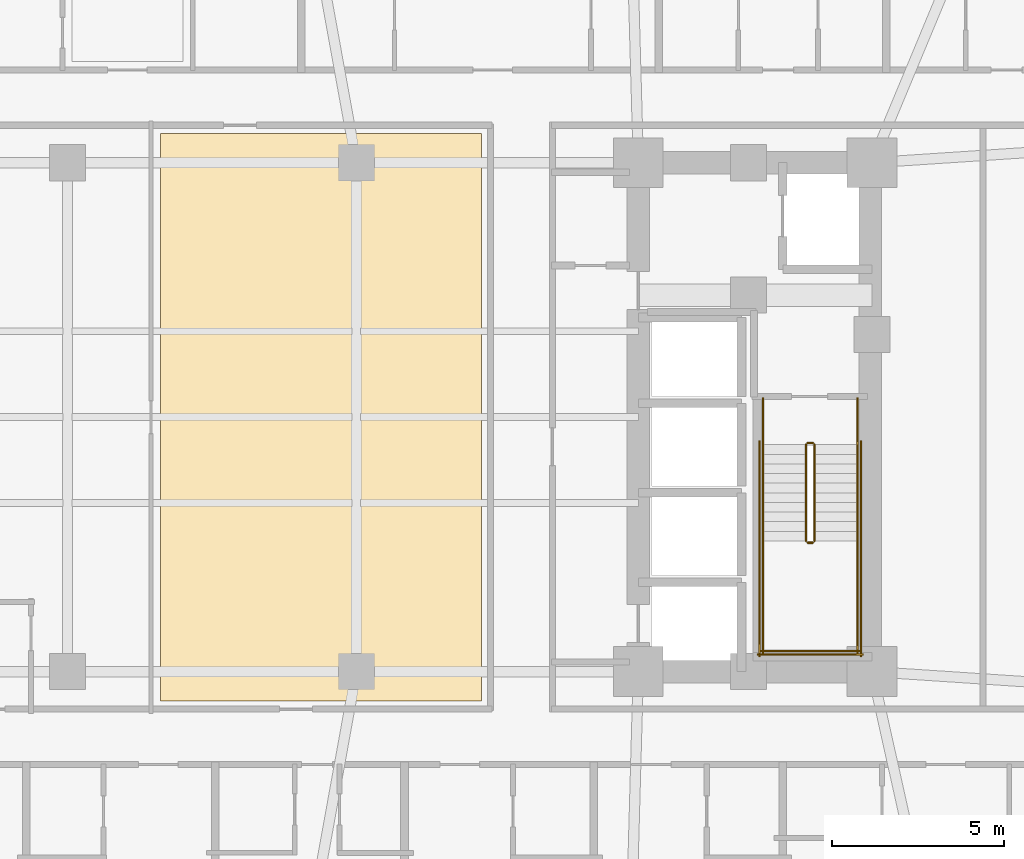
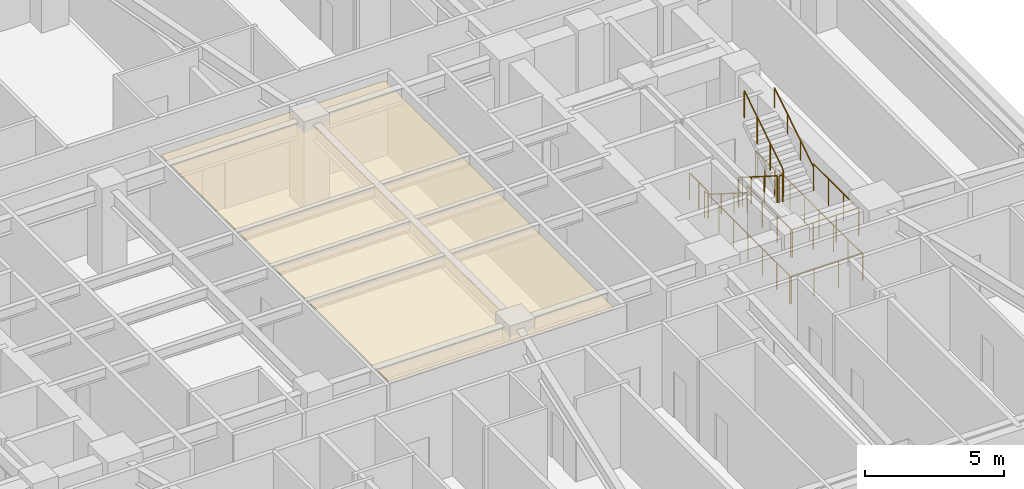
# One storey, part 11 of 12: 14 railings, 1 covering.
"""IFC4 building model written with IfcOpenShell, lengths in metres."""

from ifc_helpers import new_model, si_unit, direction, frame, origin, origin_2d, place, context, subcontext, project, spatial, polyline, circle, outline, extrude, material, layer, layer_set, type_object, element, save


model = new_model("IFC4")

# Units and contexts
model_context = context("Model", 3, precision=1e-05, world=origin(), true_north=direction((0.0, 1.0)))
body_context = subcontext(model_context, "Body", "Model", "MODEL_VIEW")
ifc_project = project(units=[si_unit("LENGTHUNIT", "METRE"), si_unit("AREAUNIT", "SQUARE_METRE"), si_unit("VOLUMEUNIT", "CUBIC_METRE"), si_unit("PLANEANGLEUNIT", "RADIAN"), si_unit("MASSUNIT", "GRAM", prefix="KILO")], contexts=[model_context])

# Site, building, storey
site_placement = place(None, origin())
site = spatial("IfcSite", under=ifc_project, at=site_placement, CompositionType="ELEMENT")
building_placement = place(site_placement, origin())
building = spatial("IfcBuilding", under=site, at=building_placement, Name="Voryun Gate Residences", CompositionType="ELEMENT")
storey_placement = place(building_placement, frame((0.0, 0.0, 41.60009765625)))
storey = spatial("IfcBuildingStorey", under=building, at=storey_placement, Name="L09", CompositionType="ELEMENT", Elevation=41.60009765625)

# Covering
ifc_material_1 = material(Name="Gypsum acoustic ceiling")
ifc_layer = layer(ifc_material_1, 0.02490234375, Name="COV_CEILING_ACOUSTIC")
ifc_layer_set = layer_set([ifc_layer], Name="Gypsum acoustic ceiling")
covering_type = type_object("IfcCoveringType", Name="COV_CEILING_ACOUSTIC", PredefinedType="CEILING", material=ifc_layer_set)
covering_placement = place(storey_placement, frame((0.0, 0.0, 3.39990234375)))
element("IfcCovering", 1, at=covering_placement, inside=storey, type_object=covering_type, Name="Acoustic ceiling CLG-L09-01", PredefinedType="CEILING", context=body_context, shape_type="SweptSolid", body=[
    extrude(outline(polyline([(-1.492919921875, 8.25), (7.840087890625, 8.25), (7.840087890625, -8.25), (-1.492919921875, -8.25), (-1.492919921875, 8.25)])), origin(), (0.0, 0.0, 1.0), 0.02490234375),
])

# Railings
ifc_material_2 = material(Name="Painted steel", Category="steel")
railing_type_1 = type_object("IfcRailingType", Name="RAIL_STAIR_GUARD_1200", PredefinedType="GUARDRAIL", material=ifc_material_2)
railing_1_placement = place(storey_placement, frame((17.27490234375, -0.800048828125, 0.17724609375)))
element("IfcRailing", 2, at=railing_1_placement, inside=storey, type_object=railing_type_1, Name="L09 ST-E1 stair guard 1", PredefinedType="GUARDRAIL", context=body_context, shape_type="SweptSolid", body=[
    extrude(circle(Radius=0.02392578125, at=origin_2d()), frame((0.0, 0.0, 1.17578125), z_axis=(0.0, -0.844908973607, 0.534910110503), x_axis=(1.0, 0.0, 0.0)), (0.0, 0.0, 1.0), 3.31396484375),
    extrude(circle(Radius=0.02099609375, at=origin_2d()), origin(), (0.0, 0.0, 1.0), 1.15185546875),
    extrude(circle(Radius=0.02099609375, at=origin_2d()), frame((0.0, -0.933349609375, 0.5908203125)), (0.0, 0.0, 1.0), 1.15185546875),
    extrude(circle(Radius=0.02099609375, at=origin_2d()), frame((0.0, -1.86669921875, 1.181884765625)), (0.0, 0.0, 1.0), 1.15185546875),
    extrude(circle(Radius=0.02099609375, at=origin_2d()), frame((0.0, -2.800048828125, 1.772705078125)), (0.0, 0.0, 1.0), 1.15185546875),
])
railing_2_placement = place(storey_placement, frame((17.324951171875, -3.64990234375, 1.949951171875)))
element("IfcRailing", 3, at=railing_2_placement, inside=storey, type_object=railing_type_1, Name="L09 ST-E1 stair guard 2", PredefinedType="GUARDRAIL", context=body_context, shape_type="SweptSolid", body=[
    extrude(circle(Radius=0.02392578125, at=origin_2d()), frame((0.0, 0.0, 1.17578125), z_axis=(1.0, 0.0, 0.0), x_axis=(0.0, 1.0, 0.0)), (0.0, 0.0, 1.0), 0.150146484375),
    extrude(circle(Radius=0.02099609375, at=origin_2d()), origin(), (0.0, 0.0, 1.0), 1.15185546875),
    extrude(circle(Radius=0.02099609375, at=origin_2d()), frame((0.150146484375, 0.0, 0.0)), (0.0, 0.0, 1.0), 1.15185546875),
])
for number, where, name in (
    (4, (16.02490234375, -3.60009765625, 1.949951171875), "L09 ST-E1 stair guard 3"),
    (5, (18.77490234375, -3.60009765625, 1.949951171875), "L09 ST-E1 stair guard 4"),
):
    element("IfcRailing", number, at=place(storey_placement, frame(where)), inside=storey, type_object=railing_type_1, Name=name, PredefinedType="GUARDRAIL", context=body_context, shape_type="SweptSolid", body=[
        extrude(circle(Radius=0.02392578125, at=origin_2d()), frame((0.0, 0.0, 1.17578125), z_axis=(0.0, -1.0, 0.0), x_axis=(1.0, 0.0, 0.0)), (0.0, 0.0, 1.0), 3.25),
        extrude(circle(Radius=0.02099609375, at=origin_2d()), origin(), (0.0, 0.0, 1.0), 1.15185546875),
        extrude(circle(Radius=0.02099609375, at=origin_2d()), frame((0.0, -1.083251953125, 0.0)), (0.0, 0.0, 1.0), 1.15185546875),
        extrude(circle(Radius=0.02099609375, at=origin_2d()), frame((0.0, -2.166748046875, 0.0)), (0.0, 0.0, 1.0), 1.15185546875),
        extrude(circle(Radius=0.02099609375, at=origin_2d()), frame((0.0, -3.25, 0.0)), (0.0, 0.0, 1.0), 1.15185546875),
    ])
railing_3_placement = place(storey_placement, frame((15.97509765625, -6.800048828125, 1.949951171875)))
element("IfcRailing", 6, at=railing_3_placement, inside=storey, type_object=railing_type_1, Name="L09 ST-E1 stair guard 5", PredefinedType="GUARDRAIL", context=body_context, shape_type="SweptSolid", body=[
    extrude(circle(Radius=0.02392578125, at=origin_2d()), frame((0.0, 0.0, 1.17578125), z_axis=(1.0, 0.0, 0.0), x_axis=(0.0, 1.0, 0.0)), (0.0, 0.0, 1.0), 2.849853515625),
    extrude(circle(Radius=0.02099609375, at=origin_2d()), origin(), (0.0, 0.0, 1.0), 1.15185546875),
    extrude(circle(Radius=0.02099609375, at=origin_2d()), frame((0.949951171875, 0.0, 0.0)), (0.0, 0.0, 1.0), 1.15185546875),
    extrude(circle(Radius=0.02099609375, at=origin_2d()), frame((1.89990234375, 0.0, 0.0)), (0.0, 0.0, 1.0), 1.15185546875),
    extrude(circle(Radius=0.02099609375, at=origin_2d()), frame((2.849853515625, 0.0, 0.0)), (0.0, 0.0, 1.0), 1.15185546875),
])
railing_4_placement = place(storey_placement, frame((17.52490234375, -3.60009765625, 2.127197265625)))
element("IfcRailing", 7, at=railing_4_placement, inside=storey, type_object=railing_type_1, Name="L09 ST-E1 stair guard 6", PredefinedType="GUARDRAIL", context=body_context, shape_type="SweptSolid", body=[
    extrude(circle(Radius=0.02392578125, at=origin_2d()), frame((0.0, 0.0, 1.17578125), z_axis=(0.0, 0.844908973607, 0.534910110503), x_axis=(-1.0, 0.0, 0.0)), (0.0, 0.0, 1.0), 3.31396484375),
    extrude(circle(Radius=0.02099609375, at=origin_2d()), origin(), (0.0, 0.0, 1.0), 1.15185546875),
    extrude(circle(Radius=0.02099609375, at=origin_2d()), frame((0.0, 0.933349609375, 0.5908203125)), (0.0, 0.0, 1.0), 1.15185546875),
    extrude(circle(Radius=0.02099609375, at=origin_2d()), frame((0.0, 1.86669921875, 1.181884765625)), (0.0, 0.0, 1.0), 1.15185546875),
    extrude(circle(Radius=0.02099609375, at=origin_2d()), frame((0.0, 2.800048828125, 1.772705078125)), (0.0, 0.0, 1.0), 1.15185546875),
])
railing_5_placement = place(storey_placement, frame((17.324951171875, -0.75, 0.0)))
element("IfcRailing", 8, at=railing_5_placement, inside=storey, type_object=railing_type_1, Name="L09 ST-E1 stair guard 7", PredefinedType="GUARDRAIL", context=body_context, shape_type="SweptSolid", body=[
    extrude(circle(Radius=0.02392578125, at=origin_2d()), frame((0.0, 0.0, 1.17578125), z_axis=(1.0, 0.0, 0.0), x_axis=(0.0, 1.0, 0.0)), (0.0, 0.0, 1.0), 0.150146484375),
    extrude(circle(Radius=0.02099609375, at=origin_2d()), origin(), (0.0, 0.0, 1.0), 1.15185546875),
    extrude(circle(Radius=0.02099609375, at=origin_2d()), frame((0.150146484375, 0.0, 0.0)), (0.0, 0.0, 1.0), 1.15185546875),
])
for number, where, name in (
    (9, (16.02490234375, 0.550048828125, 0.0), "L09 ST-E1 stair guard 8"),
    (10, (18.77490234375, 0.550048828125, 0.0), "L09 ST-E1 stair guard 9"),
):
    element("IfcRailing", number, at=place(storey_placement, frame(where)), inside=storey, type_object=railing_type_1, Name=name, PredefinedType="GUARDRAIL", context=body_context, shape_type="SweptSolid", body=[
        extrude(circle(Radius=0.02392578125, at=origin_2d()), frame((0.0, 0.0, 1.17578125), z_axis=(0.0, -1.0, 0.0), x_axis=(1.0, 0.0, 0.0)), (0.0, 0.0, 1.0), 1.35009765625),
        extrude(circle(Radius=0.02099609375, at=origin_2d()), origin(), (0.0, 0.0, 1.0), 1.15185546875),
        extrude(circle(Radius=0.02099609375, at=origin_2d()), frame((0.0, -0.675048828125, 0.0)), (0.0, 0.0, 1.0), 1.15185546875),
        extrude(circle(Radius=0.02099609375, at=origin_2d()), frame((0.0, -1.35009765625, 0.0)), (0.0, 0.0, 1.0), 1.15185546875),
    ])
for number, where, name in (
    (11, (15.925048828125, -0.699951171875, 0.0), "L09 ST-E1 stair guard 10"),
    (12, (18.875, -0.699951171875, 0.0), "L09 ST-E1 stair guard 11"),
):
    element("IfcRailing", number, at=place(storey_placement, frame(where)), inside=storey, type_object=railing_type_1, Name=name, PredefinedType="GUARDRAIL", context=body_context, shape_type="SweptSolid", body=[
        extrude(circle(Radius=0.02392578125, at=origin_2d()), frame((0.0, 0.0, 1.17578125), z_axis=(0.0, -1.0, 0.0), x_axis=(1.0, 0.0, 0.0)), (0.0, 0.0, 1.0), 6.25),
        extrude(circle(Radius=0.02099609375, at=origin_2d()), origin(), (0.0, 0.0, 1.0), 1.15185546875),
        extrude(circle(Radius=0.02099609375, at=origin_2d()), frame((0.0, -1.041748046875, 0.0)), (0.0, 0.0, 1.0), 1.15185546875),
        extrude(circle(Radius=0.02099609375, at=origin_2d()), frame((0.0, -2.083251953125, 0.0)), (0.0, 0.0, 1.0), 1.15185546875),
        extrude(circle(Radius=0.02099609375, at=origin_2d()), frame((0.0, -3.125, 0.0)), (0.0, 0.0, 1.0), 1.15185546875),
        extrude(circle(Radius=0.02099609375, at=origin_2d()), frame((0.0, -4.166748046875, 0.0)), (0.0, 0.0, 1.0), 1.15185546875),
        extrude(circle(Radius=0.02099609375, at=origin_2d()), frame((0.0, -5.208251953125, 0.0)), (0.0, 0.0, 1.0), 1.15185546875),
        extrude(circle(Radius=0.02099609375, at=origin_2d()), frame((0.0, -6.25, 0.0)), (0.0, 0.0, 1.0), 1.15185546875),
    ])
railing_6_placement = place(storey_placement, frame((15.875, -6.89990234375, 0.0)))
element("IfcRailing", 13, at=railing_6_placement, inside=storey, type_object=railing_type_1, Name="L09 ST-E1 stair guard 12", PredefinedType="GUARDRAIL", context=body_context, shape_type="SweptSolid", body=[
    extrude(circle(Radius=0.02392578125, at=origin_2d()), frame((0.0, 0.0, 1.17578125), z_axis=(1.0, 0.0, 0.0), x_axis=(0.0, 1.0, 0.0)), (0.0, 0.0, 1.0), 3.050048828125),
    extrude(circle(Radius=0.02099609375, at=origin_2d()), origin(), (0.0, 0.0, 1.0), 1.15185546875),
    extrude(circle(Radius=0.02099609375, at=origin_2d()), frame((1.0166015625, 0.0, 0.0)), (0.0, 0.0, 1.0), 1.15185546875),
    extrude(circle(Radius=0.02099609375, at=origin_2d()), frame((2.033447265625, 0.0, 0.0)), (0.0, 0.0, 1.0), 1.15185546875),
    extrude(circle(Radius=0.02099609375, at=origin_2d()), frame((3.050048828125, 0.0, 0.0)), (0.0, 0.0, 1.0), 1.15185546875),
])
ifc_material_3 = material(Name="Painted steel", Category="steel")
railing_type_2 = type_object("IfcRailingType", Name="RAIL_STAIR_HANDRAIL_900", PredefinedType="HANDRAIL", material=ifc_material_3)
railing_7_placement = place(storey_placement, frame((16.02490234375, -0.800048828125, 0.17724609375)))
element("IfcRailing", 14, at=railing_7_placement, inside=storey, type_object=railing_type_2, Name="L09 ST-E1 stair handrail 1", PredefinedType="HANDRAIL", context=body_context, shape_type="SweptSolid", body=[
    extrude(circle(Radius=0.02392578125, at=origin_2d()), frame((0.0, 0.0, 0.8759765625), z_axis=(0.0, -0.844908973607, 0.534910110503), x_axis=(1.0, 0.0, 0.0)), (0.0, 0.0, 1.0), 3.31396484375),
    extrude(circle(Radius=0.02099609375, at=origin_2d()), origin(), (0.0, 0.0, 1.0), 0.851806640625),
    extrude(circle(Radius=0.02099609375, at=origin_2d()), frame((0.0, -0.933349609375, 0.5908203125)), (0.0, 0.0, 1.0), 0.851806640625),
    extrude(circle(Radius=0.02099609375, at=origin_2d()), frame((0.0, -1.86669921875, 1.181884765625)), (0.0, 0.0, 1.0), 0.851806640625),
    extrude(circle(Radius=0.02099609375, at=origin_2d()), frame((0.0, -2.800048828125, 1.772705078125)), (0.0, 0.0, 1.0), 0.851806640625),
])
railing_8_placement = place(storey_placement, frame((18.77490234375, -3.60009765625, 2.127197265625)))
element("IfcRailing", 15, at=railing_8_placement, inside=storey, type_object=railing_type_2, Name="L09 ST-E1 stair handrail 2", PredefinedType="HANDRAIL", context=body_context, shape_type="SweptSolid", body=[
    extrude(circle(Radius=0.02392578125, at=origin_2d()), frame((0.0, 0.0, 0.8759765625), z_axis=(0.0, 0.844908973607, 0.534910110503), x_axis=(-1.0, 0.0, 0.0)), (0.0, 0.0, 1.0), 3.31396484375),
    extrude(circle(Radius=0.02099609375, at=origin_2d()), origin(), (0.0, 0.0, 1.0), 0.851806640625),
    extrude(circle(Radius=0.02099609375, at=origin_2d()), frame((0.0, 0.933349609375, 0.5908203125)), (0.0, 0.0, 1.0), 0.851806640625),
    extrude(circle(Radius=0.02099609375, at=origin_2d()), frame((0.0, 1.86669921875, 1.181884765625)), (0.0, 0.0, 1.0), 0.851806640625),
    extrude(circle(Radius=0.02099609375, at=origin_2d()), frame((0.0, 2.800048828125, 1.772705078125)), (0.0, 0.0, 1.0), 0.851806640625),
])

save(model, "model.ifc")
